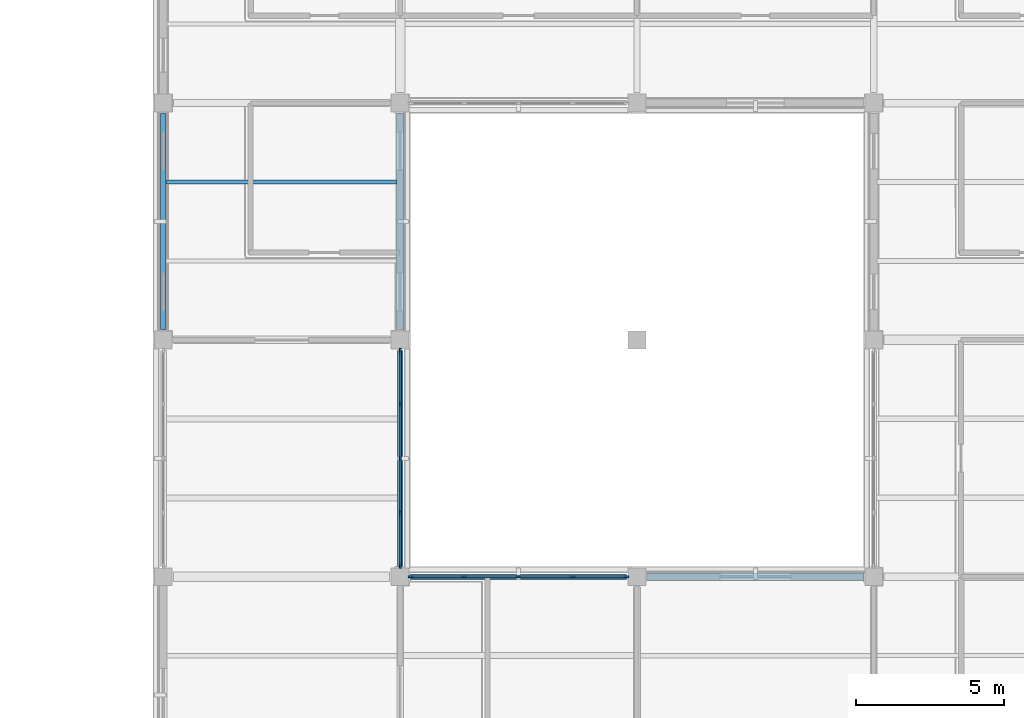
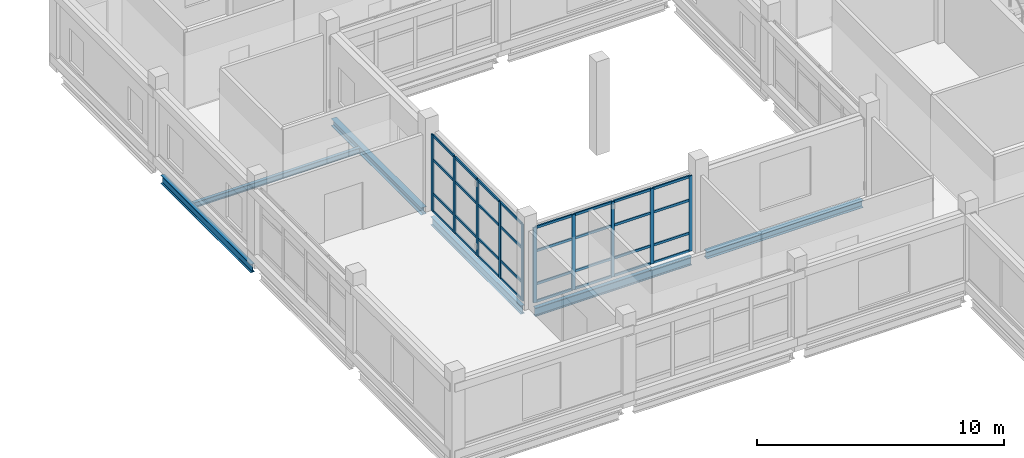
# One storey, part 43 of 121: 42 members, 6 beams, 2 elements without a shape of their own.
"""IFC4 building model written with IfcOpenShell, lengths in metres."""

from ifc_helpers import new_model, si_unit, derived_unit, direction, frame, origin, origin_2d, place, context, subcontext, project, spatial, rectangle, i_section, extrude, material, layer, layer_set, material_profile, profile_set, type_object, element, aggregate, save


model = new_model("IFC4")

# Units and contexts
model_context = context("Model", 3, precision=1e-05, world=origin(), true_north=direction((0.0, 1.0)))
body_context = subcontext(model_context, "Body", "Model", "MODEL_VIEW")
ifc_project = project(units=[si_unit("LENGTHUNIT", "METRE"), si_unit("AREAUNIT", "SQUARE_METRE"), si_unit("VOLUMEUNIT", "CUBIC_METRE"), si_unit("PLANEANGLEUNIT", "RADIAN"), si_unit("MASSUNIT", "GRAM", prefix="KILO"), derived_unit("THERMALTRANSMITTANCEUNIT", [(si_unit("MASSUNIT", "GRAM", prefix="KILO"), 1), (si_unit("TIMEUNIT", "SECOND"), -3), (si_unit("THERMODYNAMICTEMPERATUREUNIT", "KELVIN"), -1)])], contexts=[model_context])

# Site, building, storey
site_placement = place(None, origin())
site = spatial("IfcSite", under=ifc_project, at=site_placement, CompositionType="ELEMENT")
building_placement = place(site_placement, origin())
building = spatial("IfcBuilding", under=site, at=building_placement, Name="Veyamyaing Civic Hall", CompositionType="ELEMENT")
storey_placement = place(building_placement, frame((0.0, 0.0, 5.280029296875)))
storey = spatial("IfcBuildingStorey", under=building, at=storey_placement, Name="L01", CompositionType="ELEMENT", Elevation=5.280029296875)

# Beams
ifc_material_1 = material(Name="Steel ASTM A992", Category="steel")
ifc_material_profile_1 = material_profile(ifc_material_1, i_section(OverallWidth=0.180908203125, OverallDepth=0.4169921875, WebThickness=0.010986328125, FlangeThickness=0.018310546875, FilletRadius=0.010009765625, at=origin_2d()), Name="W410X85")
ifc_profile_set_1 = profile_set([ifc_material_profile_1], Name="Steel ASTM A992")
beam_type_1 = type_object("IfcBeamType", Name="B-19", PredefinedType="SPANDREL", material=ifc_profile_set_1)
for number, where, z_axis, x_axis, name in (
    (1, (144.35009765625, 16.0, -0.45361328125), (1.0, 0.0, 0.0), (0.0, 1.0, 0.0), "Girder B-19 L01 Grid C 19-20"),
    (2, (136.0, 24.35009765625, -0.45361328125), (0.0, 1.0, 0.0), (-1.0, 0.0, 0.0), "Girder B-19 L01 Grid 18 D-E"),
    (3, (144.0, 16.35009765625, -0.45361328125), (0.0, 1.0, 0.0), (-1.0, 0.0, 0.0), "Girder B-19 L01 Grid 19 C-D"),
):
    element("IfcBeam", number, at=place(storey_placement, frame(where, z_axis=z_axis, x_axis=x_axis)), inside=storey, type_object=beam_type_1, Name=name, PredefinedType="SPANDREL", context=body_context, shape_type="SweptSolid", body=[
        extrude(i_section(OverallWidth=0.180908203125, OverallDepth=0.4169921875, WebThickness=0.010986328125, FlangeThickness=0.018310546875, FilletRadius=0.010009765625, at=origin_2d()), origin(), (0.0, 0.0, 1.0), 7.2998046875),
    ])
ifc_material_profile_2 = material_profile(ifc_material_1, i_section(OverallWidth=0.25390625, OverallDepth=0.35302734375, WebThickness=0.009521484375, FlangeThickness=0.016357421875, FilletRadius=0.011962890625, at=origin_2d()), Name="W360X91")
ifc_profile_set_2 = profile_set([ifc_material_profile_2], Name="Steel ASTM A992")
beam_type_2 = type_object("IfcBeamType", Name="B-20", PredefinedType="SPANDREL", material=ifc_profile_set_2)
for number, where, z_axis, x_axis, name in (
    (4, (152.35009765625, 16.0, -0.421630859375), (1.0, 0.0, 0.0), (0.0, 1.0, 0.0), "Girder B-20 L01 Grid C 20-21"),
    (5, (144.0, 24.35009765625, -0.421630859375), (0.0, 1.0, 0.0), (-1.0, 0.0, 0.0), "Girder B-20 L01 Grid 19 D-E"),
):
    element("IfcBeam", number, at=place(storey_placement, frame(where, z_axis=z_axis, x_axis=x_axis)), inside=storey, type_object=beam_type_2, Name=name, PredefinedType="SPANDREL", context=body_context, shape_type="SweptSolid", body=[
        extrude(i_section(OverallWidth=0.25390625, OverallDepth=0.35302734375, WebThickness=0.009521484375, FlangeThickness=0.016357421875, FilletRadius=0.011962890625, at=origin_2d()), origin(), (0.0, 0.0, 1.0), 7.2998046875),
    ])

# Curtain wall, members
ifc_material_2 = material(Name="Anodised aluminium 6063-T6", Category="aluminium")
ifc_layer = layer(ifc_material_2, 0.159912109375, Name="Anodised aluminium 6063-T6")
ifc_layer_set = layer_set([ifc_layer], Name="Anodised aluminium 6063-T6")
curtain_wall_type = type_object("IfcCurtainWallType", Name="CW-02", PredefinedType="NOTDEFINED", material=ifc_layer_set)
curtain_wall_1_placement = place(storey_placement, origin())
curtain_wall_1 = element("IfcCurtainWall", 6, at=curtain_wall_1_placement, inside=storey, type_object=curtain_wall_type, Name="Unitized curtain wall CW-02 L01 E 18.3", PredefinedType="NOTDEFINED")
ifc_material_profile_3 = material_profile(ifc_material_2, rectangle(XDim=0.06494140625, YDim=0.159912109375, at=origin_2d()), Name="ALU-MUL-65X160")
ifc_profile_set_3 = profile_set([ifc_material_profile_3], Name="Anodised aluminium 6063-T6")
member_type_1 = type_object("IfcMemberType", Name="CWM-01", PredefinedType="MULLION", material=ifc_profile_set_3)
member_1_placement = place(storey_placement, frame((144.0, 16.362548828125, 0.0), z_axis=(0.0, 0.0, 1.0), x_axis=(-1.0, 0.0, 0.0)))
member_1 = element("IfcMember", 7, at=member_1_placement, type_object=member_type_1, Name="CW-02 mullion 1", PredefinedType="MULLION", context=body_context, shape_type="SweptSolid", body=[
    extrude(rectangle(XDim=0.06494140625, YDim=0.159912109375, at=origin_2d()), origin(), (0.0, 0.0, 1.0), 3.7939453125),
])
member_2_placement = place(storey_placement, frame((144.0, 18.1650390625, 0.0), z_axis=(0.0, 0.0, 1.0), x_axis=(-1.0, 0.0, 0.0)))
member_2 = element("IfcMember", 8, at=member_2_placement, type_object=member_type_1, Name="CW-02 mullion 2", PredefinedType="MULLION", context=body_context, shape_type="SweptSolid", body=[
    extrude(rectangle(XDim=0.06494140625, YDim=0.159912109375, at=origin_2d()), origin(), (0.0, 0.0, 1.0), 3.7939453125),
])
member_3_placement = place(storey_placement, frame((144.0, 20.0, 0.0), z_axis=(0.0, 0.0, 1.0), x_axis=(-1.0, 0.0, 0.0)))
member_3 = element("IfcMember", 9, at=member_3_placement, type_object=member_type_1, Name="CW-02 mullion 3", PredefinedType="MULLION", context=body_context, shape_type="SweptSolid", body=[
    extrude(rectangle(XDim=0.06494140625, YDim=0.159912109375, at=origin_2d()), origin(), (0.0, 0.0, 1.0), 3.7939453125),
])
member_4_placement = place(storey_placement, frame((144.0, 21.8349609375, 0.0), z_axis=(0.0, 0.0, 1.0), x_axis=(-1.0, 0.0, 0.0)))
member_4 = element("IfcMember", 10, at=member_4_placement, type_object=member_type_1, Name="CW-02 mullion 4", PredefinedType="MULLION", context=body_context, shape_type="SweptSolid", body=[
    extrude(rectangle(XDim=0.06494140625, YDim=0.159912109375, at=origin_2d()), origin(), (0.0, 0.0, 1.0), 3.7939453125),
])
member_5_placement = place(storey_placement, frame((144.0, 23.637451171875, 0.0), z_axis=(0.0, 0.0, 1.0), x_axis=(-1.0, 0.0, 0.0)))
member_5 = element("IfcMember", 11, at=member_5_placement, type_object=member_type_1, Name="CW-02 mullion 5", PredefinedType="MULLION", context=body_context, shape_type="SweptSolid", body=[
    extrude(rectangle(XDim=0.06494140625, YDim=0.159912109375, at=origin_2d()), origin(), (0.0, 0.0, 1.0), 3.7939453125),
])

curtain_wall_2_placement = place(storey_placement, origin())
curtain_wall_2 = element("IfcCurtainWall", 12, at=curtain_wall_2_placement, inside=storey, type_object=curtain_wall_type, Name="Unitized curtain wall CW-02 L01 N 19.2", PredefinedType="NOTDEFINED")
member_6_placement = place(storey_placement, frame((144.362548828125, 16.0, 0.0), z_axis=(0.0, 0.0, 1.0), x_axis=(0.0, 1.0, 0.0)))
member_6 = element("IfcMember", 13, at=member_6_placement, type_object=member_type_1, Name="CW-02 mullion 1", PredefinedType="MULLION", context=body_context, shape_type="SweptSolid", body=[
    extrude(rectangle(XDim=0.06494140625, YDim=0.159912109375, at=origin_2d()), origin(), (0.0, 0.0, 1.0), 3.718994140625),
])
member_7_placement = place(storey_placement, frame((146.1650390625, 16.0, 0.0), z_axis=(0.0, 0.0, 1.0), x_axis=(0.0, 1.0, 0.0)))
member_7 = element("IfcMember", 14, at=member_7_placement, type_object=member_type_1, Name="CW-02 mullion 2", PredefinedType="MULLION", context=body_context, shape_type="SweptSolid", body=[
    extrude(rectangle(XDim=0.06494140625, YDim=0.159912109375, at=origin_2d()), origin(), (0.0, 0.0, 1.0), 3.718994140625),
])
member_8_placement = place(storey_placement, frame((148.0, 16.0, 0.0), z_axis=(0.0, 0.0, 1.0), x_axis=(0.0, 1.0, 0.0)))
member_8 = element("IfcMember", 15, at=member_8_placement, type_object=member_type_1, Name="CW-02 mullion 3", PredefinedType="MULLION", context=body_context, shape_type="SweptSolid", body=[
    extrude(rectangle(XDim=0.06494140625, YDim=0.159912109375, at=origin_2d()), origin(), (0.0, 0.0, 1.0), 3.718994140625),
])
member_9_placement = place(storey_placement, frame((149.8349609375, 16.0, 0.0), z_axis=(0.0, 0.0, 1.0), x_axis=(0.0, 1.0, 0.0)))
member_9 = element("IfcMember", 16, at=member_9_placement, type_object=member_type_1, Name="CW-02 mullion 4", PredefinedType="MULLION", context=body_context, shape_type="SweptSolid", body=[
    extrude(rectangle(XDim=0.06494140625, YDim=0.159912109375, at=origin_2d()), origin(), (0.0, 0.0, 1.0), 3.718994140625),
])
member_10_placement = place(storey_placement, frame((151.637451171875, 16.0, 0.0), z_axis=(0.0, 0.0, 1.0), x_axis=(0.0, 1.0, 0.0)))
member_10 = element("IfcMember", 17, at=member_10_placement, type_object=member_type_1, Name="CW-02 mullion 5", PredefinedType="MULLION", context=body_context, shape_type="SweptSolid", body=[
    extrude(rectangle(XDim=0.06494140625, YDim=0.159912109375, at=origin_2d()), origin(), (0.0, 0.0, 1.0), 3.718994140625),
])

# Member
ifc_material_profile_4 = material_profile(ifc_material_2, rectangle(XDim=0.06494140625, YDim=0.1201171875, at=origin_2d()), Name="ALU-TRN-65X120")
ifc_profile_set_4 = profile_set([ifc_material_profile_4], Name="Anodised aluminium 6063-T6")
member_type_2 = type_object("IfcMemberType", Name="CWT-01", PredefinedType="USERDEFINED", material=ifc_profile_set_4)
member_11_placement = place(storey_placement, frame((144.0, 16.39501953125, 0.032470703125), z_axis=(0.0, 1.0, 0.0), x_axis=(-1.0, 0.0, 0.0)))
member_11 = element("IfcMember", 18, at=member_11_placement, type_object=member_type_2, Name="CW-02 transom 1.1", ObjectType="TRANSOM", PredefinedType="USERDEFINED", context=body_context, shape_type="SweptSolid", body=[
    extrude(rectangle(XDim=0.06494140625, YDim=0.1201171875, at=origin_2d()), origin(), (0.0, 0.0, 1.0), 1.737548828125),
])

member_12_placement = place(storey_placement, frame((144.0, 16.39501953125, 0.89990234375), z_axis=(0.0, 1.0, 0.0), x_axis=(-1.0, 0.0, 0.0)))
member_12 = element("IfcMember", 19, at=member_12_placement, type_object=member_type_2, Name="CW-02 transom 1.2", ObjectType="TRANSOM", PredefinedType="USERDEFINED", context=body_context, shape_type="SweptSolid", body=[
    extrude(rectangle(XDim=0.06494140625, YDim=0.1201171875, at=origin_2d()), origin(), (0.0, 0.0, 1.0), 1.737548828125),
])

member_13_placement = place(storey_placement, frame((144.0, 16.39501953125, 2.579833984375), z_axis=(0.0, 1.0, 0.0), x_axis=(-1.0, 0.0, 0.0)))
member_13 = element("IfcMember", 20, at=member_13_placement, type_object=member_type_2, Name="CW-02 transom 1.3", ObjectType="TRANSOM", PredefinedType="USERDEFINED", context=body_context, shape_type="SweptSolid", body=[
    extrude(rectangle(XDim=0.06494140625, YDim=0.1201171875, at=origin_2d()), origin(), (0.0, 0.0, 1.0), 1.737548828125),
])

member_14_placement = place(storey_placement, frame((144.0, 16.39501953125, 3.761474609375), z_axis=(0.0, 1.0, 0.0), x_axis=(-1.0, 0.0, 0.0)))
member_14 = element("IfcMember", 21, at=member_14_placement, type_object=member_type_2, Name="CW-02 transom 1.4", ObjectType="TRANSOM", PredefinedType="USERDEFINED", context=body_context, shape_type="SweptSolid", body=[
    extrude(rectangle(XDim=0.06494140625, YDim=0.1201171875, at=origin_2d()), origin(), (0.0, 0.0, 1.0), 1.737548828125),
])

member_15_placement = place(storey_placement, frame((144.0, 18.197509765625, 0.032470703125), z_axis=(0.0, 1.0, 0.0), x_axis=(-1.0, 0.0, 0.0)))
member_15 = element("IfcMember", 22, at=member_15_placement, type_object=member_type_2, Name="CW-02 transom 2.1", ObjectType="TRANSOM", PredefinedType="USERDEFINED", context=body_context, shape_type="SweptSolid", body=[
    extrude(rectangle(XDim=0.06494140625, YDim=0.1201171875, at=origin_2d()), origin(), (0.0, 0.0, 1.0), 1.77001953125),
])

member_16_placement = place(storey_placement, frame((144.0, 18.197509765625, 0.89990234375), z_axis=(0.0, 1.0, 0.0), x_axis=(-1.0, 0.0, 0.0)))
member_16 = element("IfcMember", 23, at=member_16_placement, type_object=member_type_2, Name="CW-02 transom 2.2", ObjectType="TRANSOM", PredefinedType="USERDEFINED", context=body_context, shape_type="SweptSolid", body=[
    extrude(rectangle(XDim=0.06494140625, YDim=0.1201171875, at=origin_2d()), origin(), (0.0, 0.0, 1.0), 1.77001953125),
])

member_17_placement = place(storey_placement, frame((144.0, 18.197509765625, 2.579833984375), z_axis=(0.0, 1.0, 0.0), x_axis=(-1.0, 0.0, 0.0)))
member_17 = element("IfcMember", 24, at=member_17_placement, type_object=member_type_2, Name="CW-02 transom 2.3", ObjectType="TRANSOM", PredefinedType="USERDEFINED", context=body_context, shape_type="SweptSolid", body=[
    extrude(rectangle(XDim=0.06494140625, YDim=0.1201171875, at=origin_2d()), origin(), (0.0, 0.0, 1.0), 1.77001953125),
])

member_18_placement = place(storey_placement, frame((144.0, 18.197509765625, 3.761474609375), z_axis=(0.0, 1.0, 0.0), x_axis=(-1.0, 0.0, 0.0)))
member_18 = element("IfcMember", 25, at=member_18_placement, type_object=member_type_2, Name="CW-02 transom 2.4", ObjectType="TRANSOM", PredefinedType="USERDEFINED", context=body_context, shape_type="SweptSolid", body=[
    extrude(rectangle(XDim=0.06494140625, YDim=0.1201171875, at=origin_2d()), origin(), (0.0, 0.0, 1.0), 1.77001953125),
])

member_19_placement = place(storey_placement, frame((144.0, 20.032470703125, 0.032470703125), z_axis=(0.0, 1.0, 0.0), x_axis=(-1.0, 0.0, 0.0)))
member_19 = element("IfcMember", 26, at=member_19_placement, type_object=member_type_2, Name="CW-02 transom 3.1", ObjectType="TRANSOM", PredefinedType="USERDEFINED", context=body_context, shape_type="SweptSolid", body=[
    extrude(rectangle(XDim=0.06494140625, YDim=0.1201171875, at=origin_2d()), origin(), (0.0, 0.0, 1.0), 1.77001953125),
])

member_20_placement = place(storey_placement, frame((144.0, 20.032470703125, 0.89990234375), z_axis=(0.0, 1.0, 0.0), x_axis=(-1.0, 0.0, 0.0)))
member_20 = element("IfcMember", 27, at=member_20_placement, type_object=member_type_2, Name="CW-02 transom 3.2", ObjectType="TRANSOM", PredefinedType="USERDEFINED", context=body_context, shape_type="SweptSolid", body=[
    extrude(rectangle(XDim=0.06494140625, YDim=0.1201171875, at=origin_2d()), origin(), (0.0, 0.0, 1.0), 1.77001953125),
])

member_21_placement = place(storey_placement, frame((144.0, 20.032470703125, 2.579833984375), z_axis=(0.0, 1.0, 0.0), x_axis=(-1.0, 0.0, 0.0)))
member_21 = element("IfcMember", 28, at=member_21_placement, type_object=member_type_2, Name="CW-02 transom 3.3", ObjectType="TRANSOM", PredefinedType="USERDEFINED", context=body_context, shape_type="SweptSolid", body=[
    extrude(rectangle(XDim=0.06494140625, YDim=0.1201171875, at=origin_2d()), origin(), (0.0, 0.0, 1.0), 1.77001953125),
])

member_22_placement = place(storey_placement, frame((144.0, 20.032470703125, 3.761474609375), z_axis=(0.0, 1.0, 0.0), x_axis=(-1.0, 0.0, 0.0)))
member_22 = element("IfcMember", 29, at=member_22_placement, type_object=member_type_2, Name="CW-02 transom 3.4", ObjectType="TRANSOM", PredefinedType="USERDEFINED", context=body_context, shape_type="SweptSolid", body=[
    extrude(rectangle(XDim=0.06494140625, YDim=0.1201171875, at=origin_2d()), origin(), (0.0, 0.0, 1.0), 1.77001953125),
])

member_23_placement = place(storey_placement, frame((144.0, 21.867431640625, 0.032470703125), z_axis=(0.0, 1.0, 0.0), x_axis=(-1.0, 0.0, 0.0)))
member_23 = element("IfcMember", 30, at=member_23_placement, type_object=member_type_2, Name="CW-02 transom 4.1", ObjectType="TRANSOM", PredefinedType="USERDEFINED", context=body_context, shape_type="SweptSolid", body=[
    extrude(rectangle(XDim=0.06494140625, YDim=0.1201171875, at=origin_2d()), origin(), (0.0, 0.0, 1.0), 1.737548828125),
])

member_24_placement = place(storey_placement, frame((144.0, 21.867431640625, 0.89990234375), z_axis=(0.0, 1.0, 0.0), x_axis=(-1.0, 0.0, 0.0)))
member_24 = element("IfcMember", 31, at=member_24_placement, type_object=member_type_2, Name="CW-02 transom 4.2", ObjectType="TRANSOM", PredefinedType="USERDEFINED", context=body_context, shape_type="SweptSolid", body=[
    extrude(rectangle(XDim=0.06494140625, YDim=0.1201171875, at=origin_2d()), origin(), (0.0, 0.0, 1.0), 1.737548828125),
])

member_25_placement = place(storey_placement, frame((144.0, 21.867431640625, 2.579833984375), z_axis=(0.0, 1.0, 0.0), x_axis=(-1.0, 0.0, 0.0)))
member_25 = element("IfcMember", 32, at=member_25_placement, type_object=member_type_2, Name="CW-02 transom 4.3", ObjectType="TRANSOM", PredefinedType="USERDEFINED", context=body_context, shape_type="SweptSolid", body=[
    extrude(rectangle(XDim=0.06494140625, YDim=0.1201171875, at=origin_2d()), origin(), (0.0, 0.0, 1.0), 1.737548828125),
])

member_26_placement = place(storey_placement, frame((144.0, 21.867431640625, 3.761474609375), z_axis=(0.0, 1.0, 0.0), x_axis=(-1.0, 0.0, 0.0)))
member_26 = element("IfcMember", 33, at=member_26_placement, type_object=member_type_2, Name="CW-02 transom 4.4", ObjectType="TRANSOM", PredefinedType="USERDEFINED", context=body_context, shape_type="SweptSolid", body=[
    extrude(rectangle(XDim=0.06494140625, YDim=0.1201171875, at=origin_2d()), origin(), (0.0, 0.0, 1.0), 1.737548828125),
])

aggregate(curtain_wall_1, [member_1, member_2, member_3, member_4, member_5, member_11, member_12, member_13, member_14, member_15, member_16, member_17, member_18, member_19, member_20, member_21, member_22, member_23, member_24, member_25, member_26])

member_27_placement = place(storey_placement, frame((144.39501953125, 16.0, 0.032470703125), z_axis=(1.0, 0.0, 0.0), x_axis=(0.0, 1.0, 0.0)))
member_27 = element("IfcMember", 34, at=member_27_placement, type_object=member_type_2, Name="CW-02 transom 1.1", ObjectType="TRANSOM", PredefinedType="USERDEFINED", context=body_context, shape_type="SweptSolid", body=[
    extrude(rectangle(XDim=0.06494140625, YDim=0.1201171875, at=origin_2d()), origin(), (0.0, 0.0, 1.0), 1.737548828125),
])

member_28_placement = place(storey_placement, frame((144.39501953125, 16.0, 0.89990234375), z_axis=(1.0, 0.0, 0.0), x_axis=(0.0, 1.0, 0.0)))
member_28 = element("IfcMember", 35, at=member_28_placement, type_object=member_type_2, Name="CW-02 transom 1.2", ObjectType="TRANSOM", PredefinedType="USERDEFINED", context=body_context, shape_type="SweptSolid", body=[
    extrude(rectangle(XDim=0.06494140625, YDim=0.1201171875, at=origin_2d()), origin(), (0.0, 0.0, 1.0), 1.737548828125),
])

member_29_placement = place(storey_placement, frame((144.39501953125, 16.0, 2.52880859375), z_axis=(1.0, 0.0, 0.0), x_axis=(0.0, 1.0, 0.0)))
member_29 = element("IfcMember", 36, at=member_29_placement, type_object=member_type_2, Name="CW-02 transom 1.3", ObjectType="TRANSOM", PredefinedType="USERDEFINED", context=body_context, shape_type="SweptSolid", body=[
    extrude(rectangle(XDim=0.06494140625, YDim=0.1201171875, at=origin_2d()), origin(), (0.0, 0.0, 1.0), 1.737548828125),
])

member_30_placement = place(storey_placement, frame((144.39501953125, 16.0, 3.6865234375), z_axis=(1.0, 0.0, 0.0), x_axis=(0.0, 1.0, 0.0)))
member_30 = element("IfcMember", 37, at=member_30_placement, type_object=member_type_2, Name="CW-02 transom 1.4", ObjectType="TRANSOM", PredefinedType="USERDEFINED", context=body_context, shape_type="SweptSolid", body=[
    extrude(rectangle(XDim=0.06494140625, YDim=0.1201171875, at=origin_2d()), origin(), (0.0, 0.0, 1.0), 1.737548828125),
])

member_31_placement = place(storey_placement, frame((146.197509765625, 16.0, 0.032470703125), z_axis=(1.0, 0.0, 0.0), x_axis=(0.0, 1.0, 0.0)))
member_31 = element("IfcMember", 38, at=member_31_placement, type_object=member_type_2, Name="CW-02 transom 2.1", ObjectType="TRANSOM", PredefinedType="USERDEFINED", context=body_context, shape_type="SweptSolid", body=[
    extrude(rectangle(XDim=0.06494140625, YDim=0.1201171875, at=origin_2d()), origin(), (0.0, 0.0, 1.0), 1.77001953125),
])

member_32_placement = place(storey_placement, frame((146.197509765625, 16.0, 0.89990234375), z_axis=(1.0, 0.0, 0.0), x_axis=(0.0, 1.0, 0.0)))
member_32 = element("IfcMember", 39, at=member_32_placement, type_object=member_type_2, Name="CW-02 transom 2.2", ObjectType="TRANSOM", PredefinedType="USERDEFINED", context=body_context, shape_type="SweptSolid", body=[
    extrude(rectangle(XDim=0.06494140625, YDim=0.1201171875, at=origin_2d()), origin(), (0.0, 0.0, 1.0), 1.77001953125),
])

member_33_placement = place(storey_placement, frame((146.197509765625, 16.0, 2.52880859375), z_axis=(1.0, 0.0, 0.0), x_axis=(0.0, 1.0, 0.0)))
member_33 = element("IfcMember", 40, at=member_33_placement, type_object=member_type_2, Name="CW-02 transom 2.3", ObjectType="TRANSOM", PredefinedType="USERDEFINED", context=body_context, shape_type="SweptSolid", body=[
    extrude(rectangle(XDim=0.06494140625, YDim=0.1201171875, at=origin_2d()), origin(), (0.0, 0.0, 1.0), 1.77001953125),
])

member_34_placement = place(storey_placement, frame((146.197509765625, 16.0, 3.6865234375), z_axis=(1.0, 0.0, 0.0), x_axis=(0.0, 1.0, 0.0)))
member_34 = element("IfcMember", 41, at=member_34_placement, type_object=member_type_2, Name="CW-02 transom 2.4", ObjectType="TRANSOM", PredefinedType="USERDEFINED", context=body_context, shape_type="SweptSolid", body=[
    extrude(rectangle(XDim=0.06494140625, YDim=0.1201171875, at=origin_2d()), origin(), (0.0, 0.0, 1.0), 1.77001953125),
])

member_35_placement = place(storey_placement, frame((148.032470703125, 16.0, 0.032470703125), z_axis=(1.0, 0.0, 0.0), x_axis=(0.0, 1.0, 0.0)))
member_35 = element("IfcMember", 42, at=member_35_placement, type_object=member_type_2, Name="CW-02 transom 3.1", ObjectType="TRANSOM", PredefinedType="USERDEFINED", context=body_context, shape_type="SweptSolid", body=[
    extrude(rectangle(XDim=0.06494140625, YDim=0.1201171875, at=origin_2d()), origin(), (0.0, 0.0, 1.0), 1.77001953125),
])

member_36_placement = place(storey_placement, frame((148.032470703125, 16.0, 0.89990234375), z_axis=(1.0, 0.0, 0.0), x_axis=(0.0, 1.0, 0.0)))
member_36 = element("IfcMember", 43, at=member_36_placement, type_object=member_type_2, Name="CW-02 transom 3.2", ObjectType="TRANSOM", PredefinedType="USERDEFINED", context=body_context, shape_type="SweptSolid", body=[
    extrude(rectangle(XDim=0.06494140625, YDim=0.1201171875, at=origin_2d()), origin(), (0.0, 0.0, 1.0), 1.77001953125),
])

member_37_placement = place(storey_placement, frame((148.032470703125, 16.0, 2.52880859375), z_axis=(1.0, 0.0, 0.0), x_axis=(0.0, 1.0, 0.0)))
member_37 = element("IfcMember", 44, at=member_37_placement, type_object=member_type_2, Name="CW-02 transom 3.3", ObjectType="TRANSOM", PredefinedType="USERDEFINED", context=body_context, shape_type="SweptSolid", body=[
    extrude(rectangle(XDim=0.06494140625, YDim=0.1201171875, at=origin_2d()), origin(), (0.0, 0.0, 1.0), 1.77001953125),
])

member_38_placement = place(storey_placement, frame((148.032470703125, 16.0, 3.6865234375), z_axis=(1.0, 0.0, 0.0), x_axis=(0.0, 1.0, 0.0)))
member_38 = element("IfcMember", 45, at=member_38_placement, type_object=member_type_2, Name="CW-02 transom 3.4", ObjectType="TRANSOM", PredefinedType="USERDEFINED", context=body_context, shape_type="SweptSolid", body=[
    extrude(rectangle(XDim=0.06494140625, YDim=0.1201171875, at=origin_2d()), origin(), (0.0, 0.0, 1.0), 1.77001953125),
])

member_39_placement = place(storey_placement, frame((149.867431640625, 16.0, 0.032470703125), z_axis=(1.0, 0.0, 0.0), x_axis=(0.0, 1.0, 0.0)))
member_39 = element("IfcMember", 46, at=member_39_placement, type_object=member_type_2, Name="CW-02 transom 4.1", ObjectType="TRANSOM", PredefinedType="USERDEFINED", context=body_context, shape_type="SweptSolid", body=[
    extrude(rectangle(XDim=0.06494140625, YDim=0.1201171875, at=origin_2d()), origin(), (0.0, 0.0, 1.0), 1.737548828125),
])

member_40_placement = place(storey_placement, frame((149.867431640625, 16.0, 0.89990234375), z_axis=(1.0, 0.0, 0.0), x_axis=(0.0, 1.0, 0.0)))
member_40 = element("IfcMember", 47, at=member_40_placement, type_object=member_type_2, Name="CW-02 transom 4.2", ObjectType="TRANSOM", PredefinedType="USERDEFINED", context=body_context, shape_type="SweptSolid", body=[
    extrude(rectangle(XDim=0.06494140625, YDim=0.1201171875, at=origin_2d()), origin(), (0.0, 0.0, 1.0), 1.737548828125),
])

member_41_placement = place(storey_placement, frame((149.867431640625, 16.0, 2.52880859375), z_axis=(1.0, 0.0, 0.0), x_axis=(0.0, 1.0, 0.0)))
member_41 = element("IfcMember", 48, at=member_41_placement, type_object=member_type_2, Name="CW-02 transom 4.3", ObjectType="TRANSOM", PredefinedType="USERDEFINED", context=body_context, shape_type="SweptSolid", body=[
    extrude(rectangle(XDim=0.06494140625, YDim=0.1201171875, at=origin_2d()), origin(), (0.0, 0.0, 1.0), 1.737548828125),
])

member_42_placement = place(storey_placement, frame((149.867431640625, 16.0, 3.6865234375), z_axis=(1.0, 0.0, 0.0), x_axis=(0.0, 1.0, 0.0)))
member_42 = element("IfcMember", 49, at=member_42_placement, type_object=member_type_2, Name="CW-02 transom 4.4", ObjectType="TRANSOM", PredefinedType="USERDEFINED", context=body_context, shape_type="SweptSolid", body=[
    extrude(rectangle(XDim=0.06494140625, YDim=0.1201171875, at=origin_2d()), origin(), (0.0, 0.0, 1.0), 1.737548828125),
])

aggregate(curtain_wall_2, [member_6, member_7, member_8, member_9, member_10, member_27, member_28, member_29, member_30, member_31, member_32, member_33, member_34, member_35, member_36, member_37, member_38, member_39, member_40, member_41, member_42])

# Beam
ifc_material_profile_5 = material_profile(ifc_material_1, i_section(OverallWidth=0.14794921875, OverallDepth=0.26611328125, WebThickness=0.007568359375, FlangeThickness=0.012939453125, FilletRadius=0.010009765625, at=origin_2d()), Name="W250X45")
ifc_profile_set_5 = profile_set([ifc_material_profile_5], Name="Steel ASTM A992")
beam_type_3 = type_object("IfcBeamType", Name="J-07", PredefinedType="JOIST", material=ifc_profile_set_5)
beam_placement = place(storey_placement, frame((136.08837890625, 29.333251953125, -0.3779296875), z_axis=(1.0, 0.0, 0.0), x_axis=(0.0, 1.0, 0.0)))
element("IfcBeam", 50, at=beam_placement, inside=storey, type_object=beam_type_3, Name="Composite floor joist J-07 L01 18.4.2", PredefinedType="JOIST", context=body_context, shape_type="SweptSolid", body=[
    extrude(i_section(OverallWidth=0.14794921875, OverallDepth=0.26611328125, WebThickness=0.007568359375, FlangeThickness=0.012939453125, FilletRadius=0.010009765625, at=origin_2d()), origin(), (0.0, 0.0, 1.0), 7.78662109375),
])

save(model, "model.ifc")
